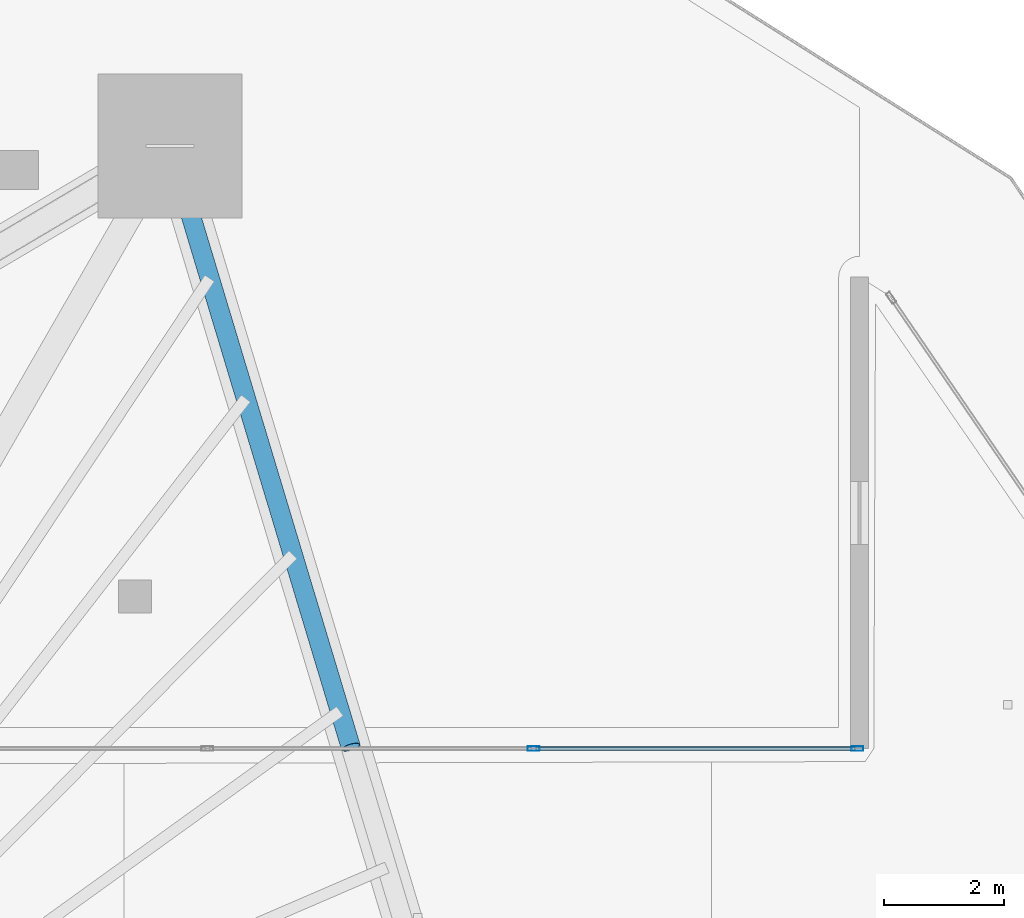
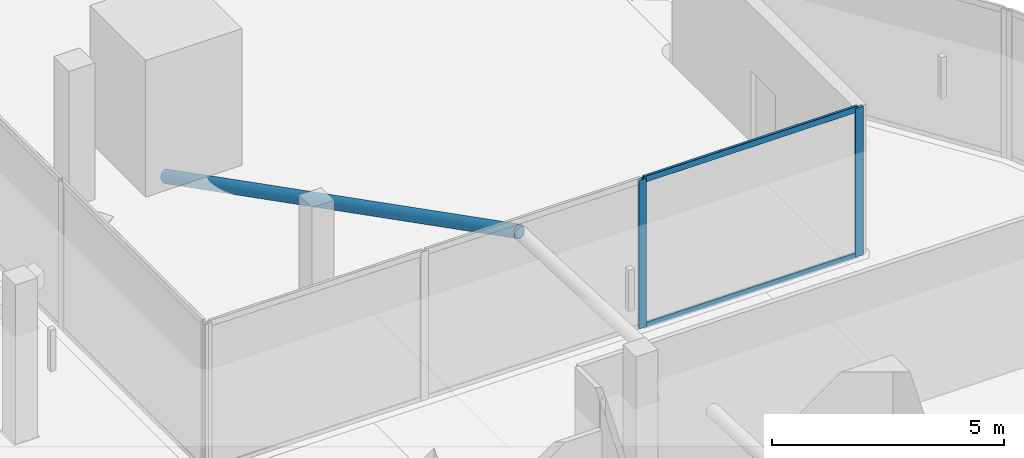
# One storey, part 22 of 47: 5 members, 1 element without a shape of its own.
"""IFC4 building model written with IfcOpenShell, lengths in metres."""

from ifc_helpers import new_model, si_unit, direction, frame, origin, origin_2d, place, context, subcontext, project, spatial, hollow_rectangle, hollow_circle, extrude, material, layer, layer_set, material_profile, profile_set, type_object, element, aggregate, save


model = new_model("IFC4")

# Units and contexts
model_context = context("Model", 3, precision=1e-05, world=origin(), true_north=direction((0.0, 1.0)))
body_context = subcontext(model_context, "Body", "Model", "MODEL_VIEW")
ifc_project = project(units=[si_unit("LENGTHUNIT", "METRE"), si_unit("AREAUNIT", "SQUARE_METRE"), si_unit("VOLUMEUNIT", "CUBIC_METRE"), si_unit("PLANEANGLEUNIT", "RADIAN"), si_unit("MASSUNIT", "GRAM", prefix="KILO")], contexts=[model_context])

# Site, building, storey
site_placement = place(None, origin())
site = spatial("IfcSite", under=ifc_project, at=site_placement, CompositionType="ELEMENT")
building_placement = place(site_placement, origin())
building = spatial("IfcBuilding", under=site, at=building_placement, Name="Qorvath Tower", CompositionType="ELEMENT")
storey_placement = place(building_placement, frame((0.0, 0.0, 74.39990234375)))
storey = spatial("IfcBuildingStorey", under=building, at=storey_placement, Name="L16", CompositionType="ELEMENT", Elevation=74.39990234375)

# Curtain wall, members
ifc_material_1 = material(Name="Anodised aluminium and triple low-E glass", Category="aluminium")
ifc_layer = layer(ifc_material_1, 0.179931640625)
ifc_layer_set = layer_set([ifc_layer], Name="CW-SYS-5")
curtain_wall_type = type_object("IfcCurtainWallType", Name="CW-SYS-5", PredefinedType="NOTDEFINED", material=ifc_layer_set)
curtain_wall_placement = place(storey_placement, origin())
curtain_wall = element("IfcCurtainWall", 1, at=curtain_wall_placement, inside=storey, type_object=curtain_wall_type, Name="Curtain Wall CW-5 CW-T-L16-2.1", PredefinedType="NOTDEFINED")
ifc_material_2 = material(Name="Anodised aluminium 6063-T6", Category="aluminium")
ifc_material_profile_1 = material_profile(ifc_material_2, hollow_rectangle(XDim=0.074951171875, YDim=0.199951171875, WallThickness=0.00390625, InnerFilletRadius=0.00390625, OuterFilletRadius=0.008056640625, at=origin_2d()), Name="CWM 200x75")
ifc_profile_set_1 = profile_set([ifc_material_profile_1], Name="Anodised aluminium 6063-T6")
member_type_1 = type_object("IfcMemberType", Name="CWM-200", PredefinedType="MULLION", material=ifc_profile_set_1)
member_1_placement = place(storey_placement, frame((-2.99755859375, 17.280029296875, 0.0), z_axis=(0.0, 0.0, 1.0), x_axis=(0.0, -1.0, 0.0)))
member_1 = element("IfcMember", 2, at=member_1_placement, type_object=member_type_1, Name="CW-5 mullion 1", PredefinedType="MULLION", context=body_context, shape_type="SweptSolid", body=[
    extrude(hollow_rectangle(XDim=0.074951171875, YDim=0.199951171875, WallThickness=0.00390625, InnerFilletRadius=0.00390625, OuterFilletRadius=0.008056640625, at=origin_2d()), origin(), (0.0, 0.0, 1.0), 3.920166015625),
])
member_2_placement = place(storey_placement, frame((-8.39990234375, 17.280029296875, 0.0), z_axis=(0.0, 0.0, 1.0), x_axis=(0.0, -1.0, 0.0)))
member_2 = element("IfcMember", 3, at=member_2_placement, type_object=member_type_1, Name="CW-5 mullion 2", PredefinedType="MULLION", context=body_context, shape_type="SweptSolid", body=[
    extrude(hollow_rectangle(XDim=0.074951171875, YDim=0.199951171875, WallThickness=0.00390625, InnerFilletRadius=0.00390625, OuterFilletRadius=0.008056640625, at=origin_2d()), origin(), (0.0, 0.0, 1.0), 3.920166015625),
])
ifc_material_3 = material(Name="Anodised aluminium 6063-T6", Category="aluminium")
ifc_material_profile_2 = material_profile(ifc_material_3, hollow_rectangle(XDim=0.06494140625, YDim=0.159912109375, WallThickness=0.00341796875, InnerFilletRadius=0.00341796875, OuterFilletRadius=0.007080078125, at=origin_2d()), Name="CWT 160x65")
ifc_profile_set_2 = profile_set([ifc_material_profile_2], Name="Anodised aluminium 6063-T6")
member_type_2 = type_object("IfcMemberType", Name="CWT-160", PredefinedType="USERDEFINED", material=ifc_profile_set_2)
member_3_placement = place(storey_placement, frame((-3.034912109375, 17.280029296875, 0.032470703125), z_axis=(-1.0, 0.0, 0.0), x_axis=(0.0, -1.0, 0.0)))
member_3 = element("IfcMember", 4, at=member_3_placement, type_object=member_type_2, Name="CW-5 transom 1.1", ObjectType="TRANSOM", PredefinedType="USERDEFINED", context=body_context, shape_type="SweptSolid", body=[
    extrude(hollow_rectangle(XDim=0.06494140625, YDim=0.159912109375, WallThickness=0.00341796875, InnerFilletRadius=0.00341796875, OuterFilletRadius=0.007080078125, at=origin_2d()), origin(), (0.0, 0.0, 1.0), 5.32763671875),
])
member_4_placement = place(storey_placement, frame((-3.034912109375, 17.280029296875, 3.8876953125), z_axis=(-1.0, 0.0, 0.0), x_axis=(0.0, -1.0, 0.0)))
member_4 = element("IfcMember", 5, at=member_4_placement, type_object=member_type_2, Name="CW-5 transom 1.2", ObjectType="TRANSOM", PredefinedType="USERDEFINED", context=body_context, shape_type="SweptSolid", body=[
    extrude(hollow_rectangle(XDim=0.06494140625, YDim=0.159912109375, WallThickness=0.00341796875, InnerFilletRadius=0.00341796875, OuterFilletRadius=0.007080078125, at=origin_2d()), origin(), (0.0, 0.0, 1.0), 5.32763671875),
])
aggregate(curtain_wall, [member_1, member_2, member_3, member_4])

# Member
ifc_material_4 = material(Name="Steel ASTM A500 Grade C", Category="steel")
ifc_material_profile_3 = material_profile(ifc_material_4, hollow_circle(Radius=0.161865234375, WallThickness=0.0126953125, at=origin_2d()), Name="CHS 324x12.7")
ifc_profile_set_3 = profile_set([ifc_material_profile_3], Name="Steel ASTM A500 Grade C")
member_type_3 = type_object("IfcMemberType", Name="MEM-ST1", PredefinedType="STRUT", material=ifc_profile_set_3)
member_5_placement = place(storey_placement, frame((-14.46435546875, 27.330810546875, 0.0), z_axis=(0.27271047397, -0.906357386866, 0.322715485623), x_axis=(0.957592391289, 0.288126382245, 0.0)))
element("IfcMember", 6, at=member_5_placement, inside=storey, type_object=member_type_3, Name="Sky Garden Corner Strut L16-B", PredefinedType="STRUT", context=body_context, shape_type="SweptSolid", body=[
    extrude(hollow_circle(Radius=0.161865234375, WallThickness=0.0126953125, at=origin_2d()), origin(), (0.0, 0.0, 1.0), 11.063232421875),
])

save(model, "model.ifc")
